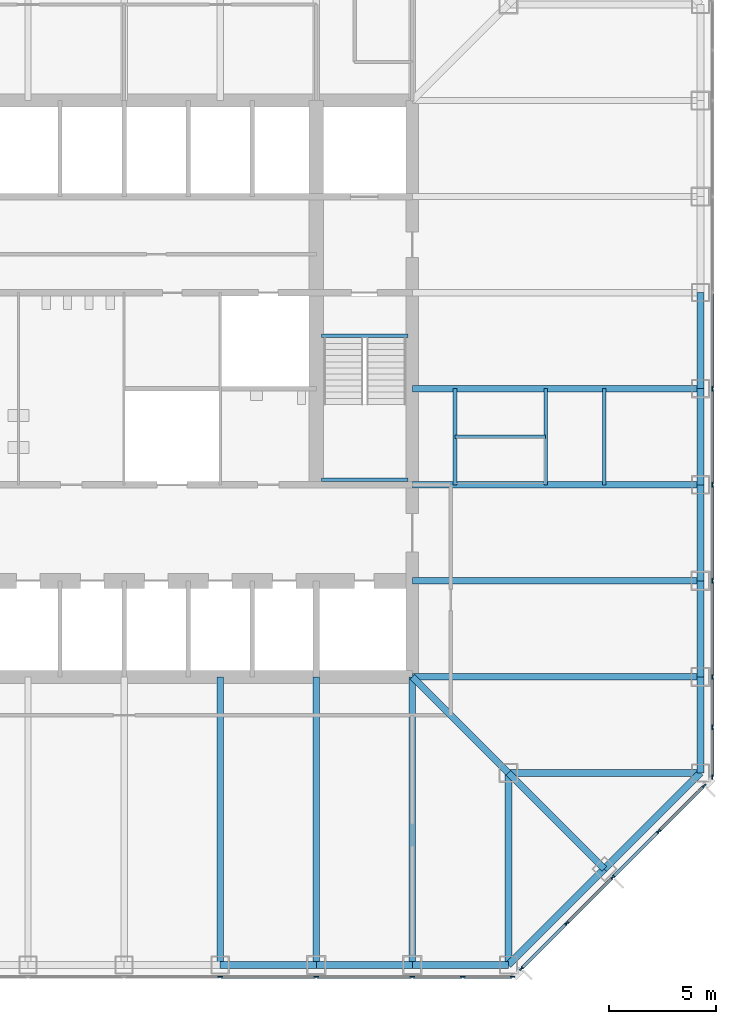
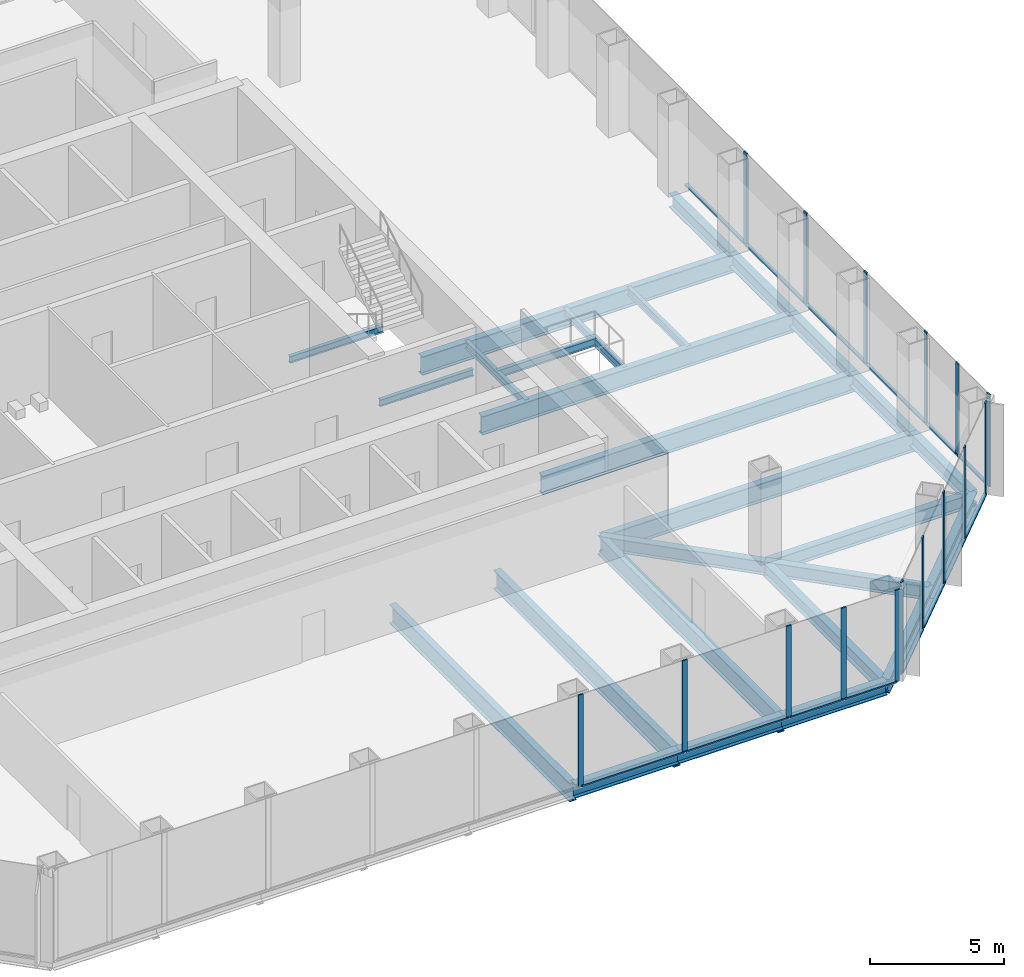
# One storey, part 4 of 12: 30 members, 27 beams, 3 elements without a shape of their own.
"""IFC4 building model written with IfcOpenShell, lengths in metres."""

from ifc_helpers import new_model, si_unit, direction, frame, origin, origin_2d, place, context, subcontext, project, spatial, rectangle, i_section, extrude, material, material_profile, profile_set, type_object, element, aggregate, save


model = new_model("IFC4")

# Units and contexts
model_context = context("Model", 3, precision=1e-05, world=origin(), true_north=direction((0.0, 1.0)))
body_context = subcontext(model_context, "Body", "Model", "MODEL_VIEW")
ifc_project = project(units=[si_unit("LENGTHUNIT", "METRE"), si_unit("AREAUNIT", "SQUARE_METRE"), si_unit("VOLUMEUNIT", "CUBIC_METRE"), si_unit("PLANEANGLEUNIT", "RADIAN"), si_unit("MASSUNIT", "GRAM", prefix="KILO")], contexts=[model_context])

# Site, building, storey
site_placement = place(None, origin())
site = spatial("IfcSite", under=ifc_project, at=site_placement, CompositionType="ELEMENT")
building_placement = place(site_placement, origin())
building = spatial("IfcBuilding", under=site, at=building_placement, Name="Corais Broadcast Tower", CompositionType="ELEMENT")
storey_placement = place(building_placement, frame((0.0, 0.0, 41.60009765625)))
storey = spatial("IfcBuildingStorey", under=building, at=storey_placement, Name="L08", CompositionType="ELEMENT", Elevation=41.60009765625)

# Beams
ifc_material_1 = material(Name="Steel ASTM A572 Grade 50", Category="steel")
ifc_material_profile_1 = material_profile(ifc_material_1, i_section(OverallWidth=0.323974609375, OverallDepth=0.611083984375, WebThickness=0.0126953125, FlangeThickness=0.01904296875, at=origin_2d()), Name="W610x155")
ifc_profile_set_1 = profile_set([ifc_material_profile_1], Name="Steel ASTM A572 Grade 50")
beam_type_1 = type_object("IfcBeamType", Name="Chamfer tie W610x155", PredefinedType="BEAM", material=ifc_profile_set_1)
beam_1_placement = place(storey_placement, frame((49.5, 4.5, -0.465576171875), z_axis=(-0.707106781187, 0.707106781187, 0.0), x_axis=(-0.707106781187, -0.707106781187, 0.0)))
element("IfcBeam", 1, at=beam_1_placement, inside=storey, type_object=beam_type_1, Name="B5 B/14 to C/13", PredefinedType="BEAM", context=body_context, shape_type="SweptSolid", body=[
    extrude(i_section(OverallWidth=0.323974609375, OverallDepth=0.611083984375, WebThickness=0.0126953125, FlangeThickness=0.01904296875, at=origin_2d()), origin(), (0.0, 0.0, 1.0), 6.364013671875),
])
ifc_material_2 = material(Name="Steel ASTM A572 Grade 50", Category="steel")
ifc_material_profile_2 = material_profile(ifc_material_2, i_section(OverallWidth=0.323974609375, OverallDepth=0.611083984375, WebThickness=0.0126953125, FlangeThickness=0.01904296875, at=origin_2d()), Name="W610x155")
ifc_profile_set_2 = profile_set([ifc_material_profile_2], Name="Steel ASTM A572 Grade 50")
beam_type_2 = type_object("IfcBeamType", Name="Corner diagonal W610x155", PredefinedType="BEAM", material=ifc_profile_set_2)
beam_2_placement = place(storey_placement, frame((45.0, 9.0, -0.465576171875), z_axis=(-0.707106781187, 0.707106781187, 0.0), x_axis=(-0.707106781187, -0.707106781187, 0.0)))
element("IfcBeam", 2, at=beam_2_placement, inside=storey, type_object=beam_type_2, Name="B6 C/13 to D/12", PredefinedType="BEAM", context=body_context, shape_type="SweptSolid", body=[
    extrude(i_section(OverallWidth=0.323974609375, OverallDepth=0.611083984375, WebThickness=0.0126953125, FlangeThickness=0.01904296875, at=origin_2d()), origin(), (0.0, 0.0, 1.0), 6.364013671875),
])
ifc_material_3 = material(Name="Steel ASTM A572 Grade 50", Category="steel")
ifc_material_profile_3 = material_profile(ifc_material_3, i_section(OverallWidth=0.323974609375, OverallDepth=0.611083984375, WebThickness=0.0126953125, FlangeThickness=0.01904296875, at=origin_2d()), Name="W610x155")
ifc_profile_set_3 = profile_set([ifc_material_profile_3], Name="Steel ASTM A572 Grade 50")
beam_type_3 = type_object("IfcBeamType", Name="Corner girder W610x155", PredefinedType="BEAM", material=ifc_profile_set_3)
for number, where, z_axis, x_axis, name in (
    (3, (45.0, 0.0, -0.465576171875), (0.0, 1.0, 0.0), (-1.0, 0.0, 0.0), "B4 A/13 to C/13"),
    (4, (54.0, 9.0, -0.465576171875), (-1.0, 0.0, 0.0), (0.0, -1.0, 0.0), "B4 C/15 to C/13"),
):
    element("IfcBeam", number, at=place(storey_placement, frame(where, z_axis=z_axis, x_axis=x_axis)), inside=storey, type_object=beam_type_3, Name=name, PredefinedType="BEAM", context=body_context, shape_type="SweptSolid", body=[
        extrude(i_section(OverallWidth=0.323974609375, OverallDepth=0.611083984375, WebThickness=0.0126953125, FlangeThickness=0.01904296875, at=origin_2d()), origin(), (0.0, 0.0, 1.0), 9.0),
    ])
ifc_material_4 = material(Name="Steel ASTM A572 Grade 50", Category="steel")
ifc_material_profile_4 = material_profile(ifc_material_4, i_section(OverallWidth=0.2939453125, OverallDepth=0.85107421875, WebThickness=0.01611328125, FlangeThickness=0.02685546875, at=origin_2d()), Name="W840x226")
ifc_profile_set_4 = profile_set([ifc_material_profile_4], Name="Steel ASTM A572 Grade 50")
beam_type_4 = type_object("IfcBeamType", Name="Floor beam W840x226", PredefinedType="BEAM", material=ifc_profile_set_4)
for number, where, z_axis, x_axis, name in (
    (5, (31.5, 0.0, -0.585693359375), (0.0, 1.0, 0.0), (-1.0, 0.0, 0.0), "B1 A/10 to D/10"),
    (6, (36.0, 0.0, -0.585693359375), (0.0, 1.0, 0.0), (-1.0, 0.0, 0.0), "B1 A/11 to D/11"),
    (7, (40.5, 0.0, -0.585693359375), (0.0, 1.0, 0.0), (-1.0, 0.0, 0.0), "B1 A/12 to D/12"),
    (8, (54.0, 13.5, -0.585693359375), (-1.0, 0.0, 0.0), (0.0, -1.0, 0.0), "B1 D/15 to D/12"),
    (9, (54.0, 18.0, -0.585693359375), (-1.0, 0.0, 0.0), (0.0, -1.0, 0.0), "B1 E/15 to E/12"),
    (10, (54.0, 22.5, -0.585693359375), (-1.0, 0.0, 0.0), (0.0, -1.0, 0.0), "B1 F/15 to F/12"),
    (11, (54.0, 27.0, -0.585693359375), (-1.0, 0.0, 0.0), (0.0, -1.0, 0.0), "B1 G/15 to G/12"),
):
    element("IfcBeam", number, at=place(storey_placement, frame(where, z_axis=z_axis, x_axis=x_axis)), inside=storey, type_object=beam_type_4, Name=name, PredefinedType="BEAM", context=body_context, shape_type="SweptSolid", body=[
        extrude(i_section(OverallWidth=0.2939453125, OverallDepth=0.85107421875, WebThickness=0.01611328125, FlangeThickness=0.02685546875, at=origin_2d()), origin(), (0.0, 0.0, 1.0), 13.5),
    ])
ifc_material_5 = material(Name="Steel ASTM A572 Grade 50", Category="steel")
ifc_material_profile_5 = material_profile(ifc_material_5, i_section(OverallWidth=0.1650390625, OverallDepth=0.31005859375, WebThickness=0.005859375, FlangeThickness=0.009765625, at=origin_2d()), Name="W310x38.7")
ifc_profile_set_5 = profile_set([ifc_material_profile_5], Name="Steel ASTM A572 Grade 50")
beam_type_5 = type_object("IfcBeamType", Name="Landing trimmer W310x38.7", PredefinedType="BEAM", material=ifc_profile_set_5)
for number, where, z_axis, x_axis, name in (
    (12, (36.25, 29.47509765625, -0.35498046875), (1.0, 0.0, 0.0), (0.0, 1.0, 0.0), "LT1 stair B landing trimmer L08"),
    (13, (36.25, 22.739990234375, 1.744873046875), (1.0, 0.0, 0.0), (0.0, 1.0, 0.0), "LT1 stair B half landing trimmer L08"),
):
    element("IfcBeam", number, at=place(storey_placement, frame(where, z_axis=z_axis, x_axis=x_axis)), inside=storey, type_object=beam_type_5, Name=name, PredefinedType="BEAM", context=body_context, shape_type="SweptSolid", body=[
        extrude(i_section(OverallWidth=0.1650390625, OverallDepth=0.31005859375, WebThickness=0.005859375, FlangeThickness=0.009765625, at=origin_2d()), origin(), (0.0, 0.0, 1.0), 4.050048828125),
    ])

# Curtain wall, members
ifc_material_6 = material(Name="Aluminium and glass", Category="aluminium")
curtain_wall_type = type_object("IfcCurtainWallType", Name="Newsroom clear-glass curtain wall CW7", PredefinedType="NOTDEFINED", material=ifc_material_6)
curtain_wall_1_placement = place(storey_placement, origin())
curtain_wall_1 = element("IfcCurtainWall", 14, at=curtain_wall_1_placement, inside=storey, type_object=curtain_wall_type, Name="CW7 curtain wall L08 6", PredefinedType="NOTDEFINED")
ifc_material_7 = material(Name="Aluminium 6063-T6", Category="aluminium")
ifc_material_profile_6 = material_profile(ifc_material_7, rectangle(XDim=0.06494140625, YDim=0.219970703125, at=origin_2d()), Name="Mullion CW7 65x220")
ifc_profile_set_6 = profile_set([ifc_material_profile_6], Name="Aluminium 6063-T6")
member_type_1 = type_object("IfcMemberType", Name="Mullion CW7 65x220", PredefinedType="MULLION", material=ifc_profile_set_6)
member_1_placement = place(storey_placement, frame((54.550048828125, 27.0, 0.0), z_axis=(0.0, 0.0, 1.0), x_axis=(1.0, 0.0, 0.0)))
member_1 = element("IfcMember", 15, at=member_1_placement, type_object=member_type_1, Name="CW7 mullion 6", PredefinedType="MULLION", context=body_context, shape_type="SweptSolid", body=[
    extrude(rectangle(XDim=0.06494140625, YDim=0.219970703125, at=origin_2d()), origin(), (0.0, 0.0, 1.0), 4.199951171875),
])
member_2_placement = place(storey_placement, frame((54.550048828125, 22.5, 0.0), z_axis=(0.0, 0.0, 1.0), x_axis=(1.0, 0.0, 0.0)))
member_2 = element("IfcMember", 16, at=member_2_placement, type_object=member_type_1, Name="CW7 mullion 7", PredefinedType="MULLION", context=body_context, shape_type="SweptSolid", body=[
    extrude(rectangle(XDim=0.06494140625, YDim=0.219970703125, at=origin_2d()), origin(), (0.0, 0.0, 1.0), 4.199951171875),
])
member_3_placement = place(storey_placement, frame((54.550048828125, 18.0, 0.0), z_axis=(0.0, 0.0, 1.0), x_axis=(1.0, 0.0, 0.0)))
member_3 = element("IfcMember", 17, at=member_3_placement, type_object=member_type_1, Name="CW7 mullion 8", PredefinedType="MULLION", context=body_context, shape_type="SweptSolid", body=[
    extrude(rectangle(XDim=0.06494140625, YDim=0.219970703125, at=origin_2d()), origin(), (0.0, 0.0, 1.0), 4.199951171875),
])
member_4_placement = place(storey_placement, frame((54.550048828125, 13.5, 0.0), z_axis=(0.0, 0.0, 1.0), x_axis=(1.0, 0.0, 0.0)))
member_4 = element("IfcMember", 18, at=member_4_placement, type_object=member_type_1, Name="CW7 mullion 9", PredefinedType="MULLION", context=body_context, shape_type="SweptSolid", body=[
    extrude(rectangle(XDim=0.06494140625, YDim=0.219970703125, at=origin_2d()), origin(), (0.0, 0.0, 1.0), 4.199951171875),
])
member_5_placement = place(storey_placement, frame((54.550048828125, 11.135986328125, 0.0), z_axis=(0.0, 0.0, 1.0), x_axis=(1.0, 0.0, 0.0)))
member_5 = element("IfcMember", 19, at=member_5_placement, type_object=member_type_1, Name="CW7 mullion 10", PredefinedType="MULLION", context=body_context, shape_type="SweptSolid", body=[
    extrude(rectangle(XDim=0.06494140625, YDim=0.219970703125, at=origin_2d()), origin(), (0.0, 0.0, 1.0), 4.199951171875),
])
member_6_placement = place(storey_placement, frame((54.550048828125, 8.8046875, 0.0), z_axis=(0.0, 0.0, 1.0), x_axis=(1.0, 0.0, 0.0)))
member_6 = element("IfcMember", 20, at=member_6_placement, type_object=member_type_1, Name="CW7 mullion 11", PredefinedType="MULLION", context=body_context, shape_type="SweptSolid", body=[
    extrude(rectangle(XDim=0.06494140625, YDim=0.219970703125, at=origin_2d()), origin(), (0.0, 0.0, 1.0), 4.199951171875),
])

curtain_wall_2_placement = place(storey_placement, origin())
curtain_wall_2 = element("IfcCurtainWall", 21, at=curtain_wall_2_placement, inside=storey, type_object=curtain_wall_type, Name="CW7 curtain wall L08 7", PredefinedType="NOTDEFINED")
member_7_placement = place(storey_placement, frame((54.17333984375, 8.3955078125, 0.0), z_axis=(0.0, 0.0, 1.0), x_axis=(0.707106781187, -0.707106781187, 0.0)))
member_7 = element("IfcMember", 22, at=member_7_placement, type_object=member_type_1, Name="CW7 mullion 1", PredefinedType="MULLION", context=body_context, shape_type="SweptSolid", body=[
    extrude(rectangle(XDim=0.06494140625, YDim=0.219970703125, at=origin_2d()), origin(), (0.0, 0.0, 1.0), 4.199951171875),
])
member_8_placement = place(storey_placement, frame((52.042724609375, 6.264892578125, 0.0), z_axis=(0.0, 0.0, 1.0), x_axis=(0.707106781187, -0.707106781187, 0.0)))
member_8 = element("IfcMember", 23, at=member_8_placement, type_object=member_type_1, Name="CW7 mullion 2", PredefinedType="MULLION", context=body_context, shape_type="SweptSolid", body=[
    extrude(rectangle(XDim=0.06494140625, YDim=0.219970703125, at=origin_2d()), origin(), (0.0, 0.0, 1.0), 4.199951171875),
])
member_9_placement = place(storey_placement, frame((49.888916015625, 4.111083984375, 0.0), z_axis=(0.0, 0.0, 1.0), x_axis=(0.707106781187, -0.707106781187, 0.0)))
member_9 = element("IfcMember", 24, at=member_9_placement, type_object=member_type_1, Name="CW7 mullion 3", PredefinedType="MULLION", context=body_context, shape_type="SweptSolid", body=[
    extrude(rectangle(XDim=0.06494140625, YDim=0.219970703125, at=origin_2d()), origin(), (0.0, 0.0, 1.0), 4.199951171875),
])
member_10_placement = place(storey_placement, frame((47.735107421875, 1.957275390625, 0.0), z_axis=(0.0, 0.0, 1.0), x_axis=(0.707106781187, -0.707106781187, 0.0)))
member_10 = element("IfcMember", 25, at=member_10_placement, type_object=member_type_1, Name="CW7 mullion 4", PredefinedType="MULLION", context=body_context, shape_type="SweptSolid", body=[
    extrude(rectangle(XDim=0.06494140625, YDim=0.219970703125, at=origin_2d()), origin(), (0.0, 0.0, 1.0), 4.199951171875),
])
member_11_placement = place(storey_placement, frame((45.6044921875, -0.17333984375, 0.0), z_axis=(0.0, 0.0, 1.0), x_axis=(0.707106781187, -0.707106781187, 0.0)))
member_11 = element("IfcMember", 26, at=member_11_placement, type_object=member_type_1, Name="CW7 mullion 5", PredefinedType="MULLION", context=body_context, shape_type="SweptSolid", body=[
    extrude(rectangle(XDim=0.06494140625, YDim=0.219970703125, at=origin_2d()), origin(), (0.0, 0.0, 1.0), 4.199951171875),
])

curtain_wall_3_placement = place(storey_placement, origin())
curtain_wall_3 = element("IfcCurtainWall", 27, at=curtain_wall_3_placement, inside=storey, type_object=curtain_wall_type, Name="CW7 curtain wall L08 8", PredefinedType="NOTDEFINED")
member_12_placement = place(storey_placement, frame((45.1953125, -0.550048828125, 0.0), z_axis=(0.0, 0.0, 1.0), x_axis=(0.0, -1.0, 0.0)))
member_12 = element("IfcMember", 28, at=member_12_placement, type_object=member_type_1, Name="CW7 mullion 1", PredefinedType="MULLION", context=body_context, shape_type="SweptSolid", body=[
    extrude(rectangle(XDim=0.06494140625, YDim=0.219970703125, at=origin_2d()), origin(), (0.0, 0.0, 1.0), 4.199951171875),
])
member_13_placement = place(storey_placement, frame((42.864013671875, -0.550048828125, 0.0), z_axis=(0.0, 0.0, 1.0), x_axis=(0.0, -1.0, 0.0)))
member_13 = element("IfcMember", 29, at=member_13_placement, type_object=member_type_1, Name="CW7 mullion 2", PredefinedType="MULLION", context=body_context, shape_type="SweptSolid", body=[
    extrude(rectangle(XDim=0.06494140625, YDim=0.219970703125, at=origin_2d()), origin(), (0.0, 0.0, 1.0), 4.199951171875),
])
member_14_placement = place(storey_placement, frame((40.5, -0.550048828125, 0.0), z_axis=(0.0, 0.0, 1.0), x_axis=(0.0, -1.0, 0.0)))
member_14 = element("IfcMember", 30, at=member_14_placement, type_object=member_type_1, Name="CW7 mullion 3", PredefinedType="MULLION", context=body_context, shape_type="SweptSolid", body=[
    extrude(rectangle(XDim=0.06494140625, YDim=0.219970703125, at=origin_2d()), origin(), (0.0, 0.0, 1.0), 4.199951171875),
])
member_15_placement = place(storey_placement, frame((36.0, -0.550048828125, 0.0), z_axis=(0.0, 0.0, 1.0), x_axis=(0.0, -1.0, 0.0)))
member_15 = element("IfcMember", 31, at=member_15_placement, type_object=member_type_1, Name="CW7 mullion 4", PredefinedType="MULLION", context=body_context, shape_type="SweptSolid", body=[
    extrude(rectangle(XDim=0.06494140625, YDim=0.219970703125, at=origin_2d()), origin(), (0.0, 0.0, 1.0), 4.199951171875),
])
member_16_placement = place(storey_placement, frame((31.5, -0.550048828125, 0.0), z_axis=(0.0, 0.0, 1.0), x_axis=(0.0, -1.0, 0.0)))
member_16 = element("IfcMember", 32, at=member_16_placement, type_object=member_type_1, Name="CW7 mullion 5", PredefinedType="MULLION", context=body_context, shape_type="SweptSolid", body=[
    extrude(rectangle(XDim=0.06494140625, YDim=0.219970703125, at=origin_2d()), origin(), (0.0, 0.0, 1.0), 4.199951171875),
])

# Beams
ifc_material_8 = material(Name="Steel ASTM A572 Grade 50", Category="steel")
ifc_material_profile_7 = material_profile(ifc_material_8, i_section(OverallWidth=0.3291015625, OverallDepth=0.635009765625, WebThickness=0.017822265625, FlangeThickness=0.031005859375, at=origin_2d()), Name="W610x241")
ifc_profile_set_7 = profile_set([ifc_material_profile_7], Name="Steel ASTM A572 Grade 50")
beam_type_6 = type_object("IfcBeamType", Name="Spandrel W610x241", PredefinedType="BEAM", material=ifc_profile_set_7)
for number, where, z_axis, x_axis, name in (
    (33, (31.5, 0.0, -0.4775390625), (1.0, 0.0, 0.0), (0.0, 1.0, 0.0), "SB1 A/10 to A/11"),
    (34, (36.0, 0.0, -0.4775390625), (1.0, 0.0, 0.0), (0.0, 1.0, 0.0), "SB1 A/11 to A/12"),
    (35, (40.5, 0.0, -0.4775390625), (1.0, 0.0, 0.0), (0.0, 1.0, 0.0), "SB1 A/12 to A/13"),
):
    element("IfcBeam", number, at=place(storey_placement, frame(where, z_axis=z_axis, x_axis=x_axis)), inside=storey, type_object=beam_type_6, Name=name, PredefinedType="BEAM", context=body_context, shape_type="SweptSolid", body=[
        extrude(i_section(OverallWidth=0.3291015625, OverallDepth=0.635009765625, WebThickness=0.017822265625, FlangeThickness=0.031005859375, at=origin_2d()), origin(), (0.0, 0.0, 1.0), 4.5),
    ])
for number, where, z_axis, x_axis, name in (
    (36, (45.0, 0.0, -0.4775390625), (0.707106781187, 0.707106781187, 0.0), (-0.707106781187, 0.707106781187, 0.0), "SB1 A/13 to B/14"),
    (37, (49.5, 4.5, -0.4775390625), (0.707106781187, 0.707106781187, 0.0), (-0.707106781187, 0.707106781187, 0.0), "SB1 B/14 to C/15"),
):
    element("IfcBeam", number, at=place(storey_placement, frame(where, z_axis=z_axis, x_axis=x_axis)), inside=storey, type_object=beam_type_6, Name=name, PredefinedType="BEAM", context=body_context, shape_type="SweptSolid", body=[
        extrude(i_section(OverallWidth=0.3291015625, OverallDepth=0.635009765625, WebThickness=0.017822265625, FlangeThickness=0.031005859375, at=origin_2d()), origin(), (0.0, 0.0, 1.0), 6.364013671875),
    ])
for number, where, z_axis, x_axis, name in (
    (38, (54.0, 13.5, -0.4775390625), (0.0, 1.0, 0.0), (-1.0, 0.0, 0.0), "SB1 D/15 to E/15"),
    (39, (54.0, 18.0, -0.4775390625), (0.0, 1.0, 0.0), (-1.0, 0.0, 0.0), "SB1 E/15 to F/15"),
    (40, (54.0, 22.5, -0.4775390625), (0.0, 1.0, 0.0), (-1.0, 0.0, 0.0), "SB1 F/15 to G/15"),
    (41, (54.0, 27.0, -0.4775390625), (0.0, 1.0, 0.0), (-1.0, 0.0, 0.0), "SB1 G/15 to H/15"),
    (42, (54.0, 9.0, -0.4775390625), (0.0, 1.0, 0.0), (-1.0, 0.0, 0.0), "SB1 C/15 to D/15"),
):
    element("IfcBeam", number, at=place(storey_placement, frame(where, z_axis=z_axis, x_axis=x_axis)), inside=storey, type_object=beam_type_6, Name=name, PredefinedType="BEAM", context=body_context, shape_type="SweptSolid", body=[
        extrude(i_section(OverallWidth=0.3291015625, OverallDepth=0.635009765625, WebThickness=0.017822265625, FlangeThickness=0.031005859375, at=origin_2d()), origin(), (0.0, 0.0, 1.0), 4.5),
    ])

# Member
ifc_material_9 = material(Name="Aluminium 6063-T6", Category="aluminium")
ifc_material_profile_8 = material_profile(ifc_material_9, rectangle(XDim=0.14990234375, YDim=0.06494140625, at=origin_2d()), Name="Transom CW7 65x150")
ifc_profile_set_8 = profile_set([ifc_material_profile_8], Name="Aluminium 6063-T6")
member_type_2 = type_object("IfcMemberType", Name="Transom CW7 65x150", PredefinedType="USERDEFINED", material=ifc_profile_set_8)
member_17_placement = place(storey_placement, frame((54.550048828125, 31.467529296875, 0.032470703125), z_axis=(0.0, -1.0, 0.0), x_axis=(1.0, 0.0, 0.0)))
member_17 = element("IfcMember", 43, at=member_17_placement, type_object=member_type_2, Name="CW7 transom 5.1", ObjectType="TRANSOM", PredefinedType="USERDEFINED", context=body_context, shape_type="SweptSolid", body=[
    extrude(rectangle(XDim=0.14990234375, YDim=0.06494140625, at=origin_2d()), origin(), (0.0, 0.0, 1.0), 4.43505859375),
])

member_18_placement = place(storey_placement, frame((54.550048828125, 26.967529296875, 0.032470703125), z_axis=(0.0, -1.0, 0.0), x_axis=(1.0, 0.0, 0.0)))
member_18 = element("IfcMember", 44, at=member_18_placement, type_object=member_type_2, Name="CW7 transom 6.1", ObjectType="TRANSOM", PredefinedType="USERDEFINED", context=body_context, shape_type="SweptSolid", body=[
    extrude(rectangle(XDim=0.14990234375, YDim=0.06494140625, at=origin_2d()), origin(), (0.0, 0.0, 1.0), 4.43505859375),
])

member_19_placement = place(storey_placement, frame((54.550048828125, 22.467529296875, 0.032470703125), z_axis=(0.0, -1.0, 0.0), x_axis=(1.0, 0.0, 0.0)))
member_19 = element("IfcMember", 45, at=member_19_placement, type_object=member_type_2, Name="CW7 transom 7.1", ObjectType="TRANSOM", PredefinedType="USERDEFINED", context=body_context, shape_type="SweptSolid", body=[
    extrude(rectangle(XDim=0.14990234375, YDim=0.06494140625, at=origin_2d()), origin(), (0.0, 0.0, 1.0), 4.43505859375),
])

member_20_placement = place(storey_placement, frame((54.550048828125, 17.967529296875, 0.032470703125), z_axis=(0.0, -1.0, 0.0), x_axis=(1.0, 0.0, 0.0)))
member_20 = element("IfcMember", 46, at=member_20_placement, type_object=member_type_2, Name="CW7 transom 8.1", ObjectType="TRANSOM", PredefinedType="USERDEFINED", context=body_context, shape_type="SweptSolid", body=[
    extrude(rectangle(XDim=0.14990234375, YDim=0.06494140625, at=origin_2d()), origin(), (0.0, 0.0, 1.0), 4.43505859375),
])

member_21_placement = place(storey_placement, frame((54.550048828125, 13.467529296875, 0.032470703125), z_axis=(0.0, -1.0, 0.0), x_axis=(1.0, 0.0, 0.0)))
member_21 = element("IfcMember", 47, at=member_21_placement, type_object=member_type_2, Name="CW7 transom 9.1", ObjectType="TRANSOM", PredefinedType="USERDEFINED", context=body_context, shape_type="SweptSolid", body=[
    extrude(rectangle(XDim=0.14990234375, YDim=0.06494140625, at=origin_2d()), origin(), (0.0, 0.0, 1.0), 2.298828125),
])

member_22_placement = place(storey_placement, frame((54.550048828125, 11.103515625, 0.032470703125), z_axis=(0.0, -1.0, 0.0), x_axis=(1.0, 0.0, 0.0)))
member_22 = element("IfcMember", 48, at=member_22_placement, type_object=member_type_2, Name="CW7 transom 10.1", ObjectType="TRANSOM", PredefinedType="USERDEFINED", context=body_context, shape_type="SweptSolid", body=[
    extrude(rectangle(XDim=0.14990234375, YDim=0.06494140625, at=origin_2d()), origin(), (0.0, 0.0, 1.0), 2.266357421875),
])

aggregate(curtain_wall_1, [member_1, member_2, member_3, member_4, member_5, member_6, member_17, member_18, member_19, member_20, member_21, member_22])

member_23_placement = place(storey_placement, frame((54.150390625, 8.37255859375, 0.032470703125), z_axis=(-0.707106781187, -0.707106781187, 0.0), x_axis=(0.707106781187, -0.707106781187, 0.0)))
member_23 = element("IfcMember", 49, at=member_23_placement, type_object=member_type_2, Name="CW7 transom 1.1", ObjectType="TRANSOM", PredefinedType="USERDEFINED", context=body_context, shape_type="SweptSolid", body=[
    extrude(rectangle(XDim=0.14990234375, YDim=0.06494140625, at=origin_2d()), origin(), (0.0, 0.0, 1.0), 2.9482421875),
])

member_24_placement = place(storey_placement, frame((52.019775390625, 6.241943359375, 0.032470703125), z_axis=(-0.707106781187, -0.707106781187, 0.0), x_axis=(0.707106781187, -0.707106781187, 0.0)))
member_24 = element("IfcMember", 50, at=member_24_placement, type_object=member_type_2, Name="CW7 transom 2.1", ObjectType="TRANSOM", PredefinedType="USERDEFINED", context=body_context, shape_type="SweptSolid", body=[
    extrude(rectangle(XDim=0.14990234375, YDim=0.06494140625, at=origin_2d()), origin(), (0.0, 0.0, 1.0), 2.98095703125),
])

member_25_placement = place(storey_placement, frame((49.865966796875, 4.088134765625, 0.032470703125), z_axis=(-0.707106781187, -0.707106781187, 0.0), x_axis=(0.707106781187, -0.707106781187, 0.0)))
member_25 = element("IfcMember", 51, at=member_25_placement, type_object=member_type_2, Name="CW7 transom 3.1", ObjectType="TRANSOM", PredefinedType="USERDEFINED", context=body_context, shape_type="SweptSolid", body=[
    extrude(rectangle(XDim=0.14990234375, YDim=0.06494140625, at=origin_2d()), origin(), (0.0, 0.0, 1.0), 2.98095703125),
])

member_26_placement = place(storey_placement, frame((47.712158203125, 1.934326171875, 0.032470703125), z_axis=(-0.707106781187, -0.707106781187, 0.0), x_axis=(0.707106781187, -0.707106781187, 0.0)))
member_26 = element("IfcMember", 52, at=member_26_placement, type_object=member_type_2, Name="CW7 transom 4.1", ObjectType="TRANSOM", PredefinedType="USERDEFINED", context=body_context, shape_type="SweptSolid", body=[
    extrude(rectangle(XDim=0.14990234375, YDim=0.06494140625, at=origin_2d()), origin(), (0.0, 0.0, 1.0), 2.9482421875),
])

aggregate(curtain_wall_2, [member_7, member_8, member_9, member_10, member_11, member_23, member_24, member_25, member_26])

member_27_placement = place(storey_placement, frame((45.162841796875, -0.550048828125, 0.032470703125), z_axis=(-1.0, 0.0, 0.0), x_axis=(0.0, -1.0, 0.0)))
member_27 = element("IfcMember", 53, at=member_27_placement, type_object=member_type_2, Name="CW7 transom 1.1", ObjectType="TRANSOM", PredefinedType="USERDEFINED", context=body_context, shape_type="SweptSolid", body=[
    extrude(rectangle(XDim=0.14990234375, YDim=0.06494140625, at=origin_2d()), origin(), (0.0, 0.0, 1.0), 2.266357421875),
])

member_28_placement = place(storey_placement, frame((42.831298828125, -0.550048828125, 0.032470703125), z_axis=(-1.0, 0.0, 0.0), x_axis=(0.0, -1.0, 0.0)))
member_28 = element("IfcMember", 54, at=member_28_placement, type_object=member_type_2, Name="CW7 transom 2.1", ObjectType="TRANSOM", PredefinedType="USERDEFINED", context=body_context, shape_type="SweptSolid", body=[
    extrude(rectangle(XDim=0.14990234375, YDim=0.06494140625, at=origin_2d()), origin(), (0.0, 0.0, 1.0), 2.298828125),
])

member_29_placement = place(storey_placement, frame((40.467529296875, -0.550048828125, 0.032470703125), z_axis=(-1.0, 0.0, 0.0), x_axis=(0.0, -1.0, 0.0)))
member_29 = element("IfcMember", 55, at=member_29_placement, type_object=member_type_2, Name="CW7 transom 3.1", ObjectType="TRANSOM", PredefinedType="USERDEFINED", context=body_context, shape_type="SweptSolid", body=[
    extrude(rectangle(XDim=0.14990234375, YDim=0.06494140625, at=origin_2d()), origin(), (0.0, 0.0, 1.0), 4.43505859375),
])

member_30_placement = place(storey_placement, frame((35.967529296875, -0.550048828125, 0.032470703125), z_axis=(-1.0, 0.0, 0.0), x_axis=(0.0, -1.0, 0.0)))
member_30 = element("IfcMember", 56, at=member_30_placement, type_object=member_type_2, Name="CW7 transom 4.1", ObjectType="TRANSOM", PredefinedType="USERDEFINED", context=body_context, shape_type="SweptSolid", body=[
    extrude(rectangle(XDim=0.14990234375, YDim=0.06494140625, at=origin_2d()), origin(), (0.0, 0.0, 1.0), 4.43505859375),
])

aggregate(curtain_wall_3, [member_12, member_13, member_14, member_15, member_16, member_27, member_28, member_29, member_30])

# Beams
ifc_material_10 = material(Name="Steel ASTM A572 Grade 50", Category="steel")
ifc_material_profile_9 = material_profile(ifc_material_10, i_section(OverallWidth=0.1708984375, OverallDepth=0.35205078125, WebThickness=0.0068359375, FlangeThickness=0.009765625, at=origin_2d()), Name="W360x44")
ifc_profile_set_9 = profile_set([ifc_material_profile_9], Name="Steel ASTM A572 Grade 50")
beam_type_7 = type_object("IfcBeamType", Name="Trimmer W360x44", PredefinedType="BEAM", material=ifc_profile_set_9)
beam_3_placement = place(storey_placement, frame((42.5, 22.5, -0.336181640625), z_axis=(0.0, 1.0, 0.0), x_axis=(-1.0, 0.0, 0.0)))
element("IfcBeam", 57, at=beam_3_placement, inside=storey, type_object=beam_type_7, Name="B9 F/12 +2000 +0 to G/12 +2000 +0", PredefinedType="BEAM", context=body_context, shape_type="SweptSolid", body=[
    extrude(i_section(OverallWidth=0.1708984375, OverallDepth=0.35205078125, WebThickness=0.0068359375, FlangeThickness=0.009765625, at=origin_2d()), origin(), (0.0, 0.0, 1.0), 4.5),
])
beam_4_placement = place(storey_placement, frame((42.5, 24.75, -0.336181640625), z_axis=(1.0, 0.0, 0.0), x_axis=(0.0, 1.0, 0.0)))
element("IfcBeam", 58, at=beam_4_placement, inside=storey, type_object=beam_type_7, Name="B9 F/12 +2000 +2250 to F/13 +1750 +2250", PredefinedType="BEAM", context=body_context, shape_type="SweptSolid", body=[
    extrude(i_section(OverallWidth=0.1708984375, OverallDepth=0.35205078125, WebThickness=0.0068359375, FlangeThickness=0.009765625, at=origin_2d()), origin(), (0.0, 0.0, 1.0), 4.25),
])
for number, where, z_axis, x_axis, name in (
    (59, (46.75, 22.5, -0.336181640625), (0.0, 1.0, 0.0), (-1.0, 0.0, 0.0), "B9 F/13 +1750 +0 to G/13 +1750 +0"),
    (60, (49.5, 22.5, -0.336181640625), (0.0, 1.0, 0.0), (-1.0, 0.0, 0.0), "B9 F/14 to G/14"),
):
    element("IfcBeam", number, at=place(storey_placement, frame(where, z_axis=z_axis, x_axis=x_axis)), inside=storey, type_object=beam_type_7, Name=name, PredefinedType="BEAM", context=body_context, shape_type="SweptSolid", body=[
        extrude(i_section(OverallWidth=0.1708984375, OverallDepth=0.35205078125, WebThickness=0.0068359375, FlangeThickness=0.009765625, at=origin_2d()), origin(), (0.0, 0.0, 1.0), 4.5),
    ])

save(model, "model.ifc")
